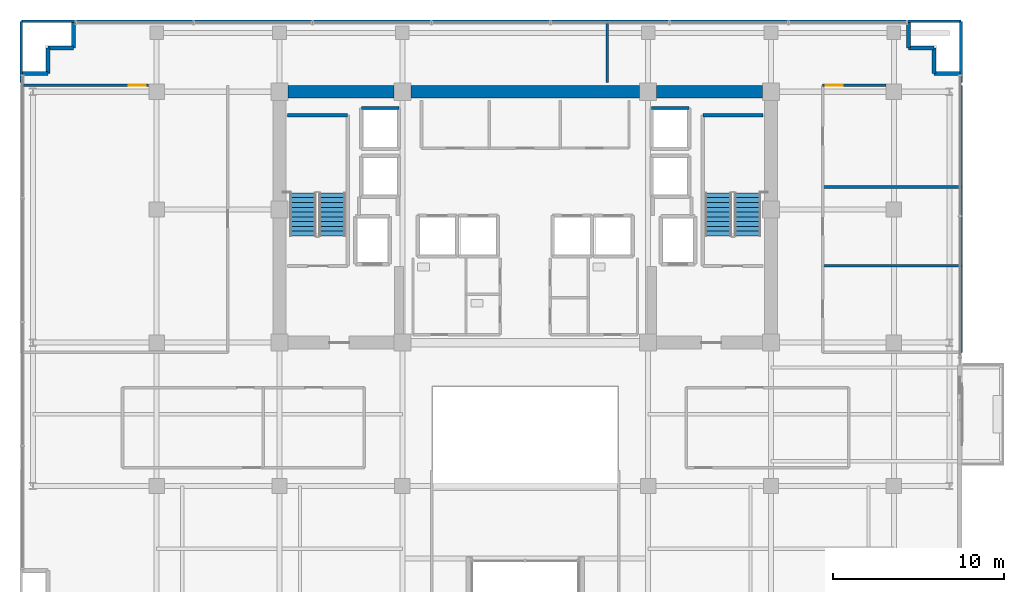
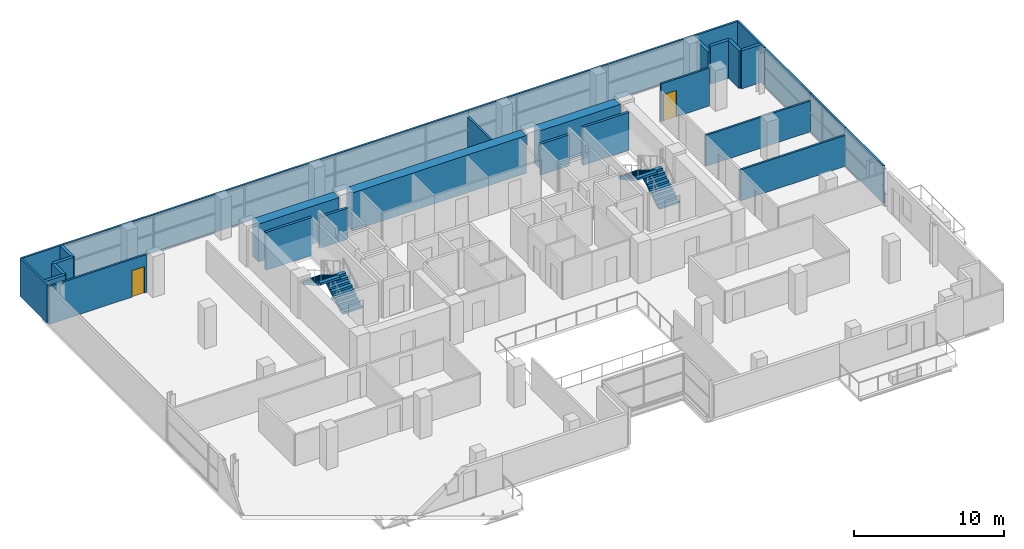
# One storey, part 22 of 25: 27 walls, 4 stair flights, 2 doors, 2 openings, 2 elements without a shape of their own.
"""IFC4 building model written with IfcOpenShell, lengths in metres."""

from ifc_helpers import new_model, si_unit, direction, frame, frame_2d, origin, place, context, subcontext, project, spatial, polyline, rectangle, outline, extrude, source, transform, mapped, material, layer, layer_set, type_object, element, fill, aggregate, save


model = new_model("IFC4")

# Units and contexts
model_context = context("Model", 3, precision=1e-05, world=origin(), true_north=direction((0.0, 1.0)))
body_context = subcontext(model_context, "Body", "Model", "MODEL_VIEW")
ifc_project = project(units=[si_unit("LENGTHUNIT", "METRE"), si_unit("AREAUNIT", "SQUARE_METRE"), si_unit("VOLUMEUNIT", "CUBIC_METRE"), si_unit("PLANEANGLEUNIT", "RADIAN"), si_unit("MASSUNIT", "GRAM", prefix="KILO")], contexts=[model_context])

# Site, building, storey
site_placement = place(None, origin())
site = spatial("IfcSite", under=ifc_project, at=site_placement, CompositionType="ELEMENT")
building_placement = place(site_placement, origin())
building = spatial("IfcBuilding", under=site, at=building_placement, Name="Zarnakvel Exchange Tower", CompositionType="ELEMENT")
storey_placement = place(building_placement, frame((0.0, 0.0, 93.39990234375)))
storey = spatial("IfcBuildingStorey", under=building, at=storey_placement, Name="L25", CompositionType="ELEMENT", Elevation=93.39990234375)

# Walls
ifc_material_1 = material(Name="Concrete C60/75", Category="concrete")
ifc_layer_1 = layer(ifc_material_1, 0.75)
ifc_layer_set_1 = layer_set([ifc_layer_1], Name="Concrete C60/75")
wall_type_1 = type_object("IfcWallType", Name="CW-C3", PredefinedType="SHEAR", material=ifc_layer_set_1)
wall_1_placement = place(storey_placement, frame((-13.89990234375, 13.5, 0.0), z_axis=(0.0, 0.0, 1.0), x_axis=(1.0, 0.0, 0.0)))
element("IfcWall", 1, at=wall_1_placement, inside=storey, type_object=wall_type_1, Name="L25 Rear Core Shear Wall N1 (CW-C3)", PredefinedType="SHEAR", context=body_context, shape_type="SweptSolid", body=[
    extrude(rectangle(XDim=6.199951171875, YDim=0.75, at=frame_2d((3.10009765625, 0.0))), origin(), (0.0, 0.0, 1.0), 3.0751953125),
])
wall_2_placement = place(storey_placement, frame((-6.699951171875, 13.5, 0.0), z_axis=(0.0, 0.0, 1.0), x_axis=(1.0, 0.0, 0.0)))
element("IfcWall", 2, at=wall_2_placement, inside=storey, type_object=wall_type_1, Name="L25 Rear Core Shear Wall N2 (CW-C3)", PredefinedType="SHEAR", context=body_context, shape_type="SweptSolid", body=[
    extrude(rectangle(XDim=13.39990234375, YDim=0.75, at=frame_2d((6.699951171875, 0.0))), origin(), (0.0, 0.0, 1.0), 3.0751953125),
])
wall_3_placement = place(storey_placement, frame((7.699951171875, 13.5, 0.0), z_axis=(0.0, 0.0, 1.0), x_axis=(1.0, 0.0, 0.0)))
element("IfcWall", 3, at=wall_3_placement, inside=storey, type_object=wall_type_1, Name="L25 Rear Core Shear Wall N3 (CW-C3)", PredefinedType="SHEAR", context=body_context, shape_type="SweptSolid", body=[
    extrude(rectangle(XDim=6.199951171875, YDim=0.75, at=frame_2d((3.10009765625, 0.0))), origin(), (0.0, 0.0, 1.0), 3.0751953125),
])
ifc_material_2 = material(Name="Precast concrete C40/50", Category="concrete")
ifc_layer_2 = layer(ifc_material_2, 0.239990234375)
ifc_layer_set_2 = layer_set([ifc_layer_2], Name="Precast concrete C40/50")
wall_type_2 = type_object("IfcWallType", Name="EW-02", PredefinedType="SOLIDWALL", material=ifc_layer_set_2)
for number, where, z_axis, x_axis, name in (
    (4, (-27.9599609375, 14.56005859375, 0.0), (0.0, 0.0, 1.0), (-1.0, 0.0, 0.0), "L25 Exterior Precast Spandrel Wall EWC-L25-01 (EW-02)"),
    (5, (-27.9599609375, 16.06005859375, 0.0), (0.0, 0.0, 1.0), (0.0, -1.0, 0.0), "L25 Exterior Precast Spandrel Wall EWC-L25-02 (EW-02)"),
    (6, (-26.4599609375, 16.06005859375, 0.0), (0.0, 0.0, 1.0), (-1.0, 0.0, 0.0), "L25 Exterior Precast Spandrel Wall EWC-L25-03 (EW-02)"),
    (7, (-26.4599609375, 17.56005859375, 0.0), (0.0, 0.0, 1.0), (0.0, -1.0, 0.0), "L25 Exterior Precast Spandrel Wall EWC-L25-04 (EW-02)"),
):
    element("IfcWall", number, at=place(storey_placement, frame(where, z_axis=z_axis, x_axis=x_axis)), inside=storey, type_object=wall_type_2, Name=name, PredefinedType="SOLIDWALL", context=body_context, shape_type="SweptSolid", body=[
        extrude(rectangle(XDim=1.5, YDim=0.239990234375, at=frame_2d((0.75, 0.0))), origin(), (0.0, 0.0, 1.0), 3.0751953125),
    ])
wall_4_placement = place(storey_placement, frame((22.4599609375, 16.06005859375, 0.0), z_axis=(0.0, 0.0, 1.0), x_axis=(0.0, 1.0, 0.0)))
element("IfcWall", 8, at=wall_4_placement, inside=storey, type_object=wall_type_2, Name="L25 Exterior Precast Spandrel Wall EWC-L25-05 (EW-02)", PredefinedType="SOLIDWALL", context=body_context, shape_type="SweptSolid", body=[
    extrude(rectangle(XDim=1.5, YDim=0.239990234375, at=frame_2d((0.75, 0.0))), origin(), (0.0, 0.0, 1.0), 2.565185546875),
])
for number, where, z_axis, x_axis, name in (
    (9, (23.9599609375, 16.06005859375, 0.0), (0.0, 0.0, 1.0), (-1.0, 0.0, 0.0), "L25 Exterior Precast Spandrel Wall EWC-L25-06 (EW-02)"),
    (10, (23.9599609375, 14.56005859375, 0.0), (0.0, 0.0, 1.0), (0.0, 1.0, 0.0), "L25 Exterior Precast Spandrel Wall EWC-L25-07 (EW-02)"),
    (11, (25.4599609375, 14.56005859375, 0.0), (0.0, 0.0, 1.0), (-1.0, 0.0, 0.0), "L25 Exterior Precast Spandrel Wall EWC-L25-08 (EW-02)"),
):
    element("IfcWall", number, at=place(storey_placement, frame(where, z_axis=z_axis, x_axis=x_axis)), inside=storey, type_object=wall_type_2, Name=name, PredefinedType="SOLIDWALL", context=body_context, shape_type="SweptSolid", body=[
        extrude(rectangle(XDim=1.5, YDim=0.239990234375, at=frame_2d((0.75, 0.0))), origin(), (0.0, 0.0, 1.0), 3.0751953125),
    ])

# Wall, opening, door
ifc_material_3 = material(Name="Fire-Rated Gypsum Stud Partition", Category="gypsum")
ifc_layer_3 = layer(ifc_material_3, 0.14990234375)
ifc_layer_set_3 = layer_set([ifc_layer_3], Name="Fire-Rated Gypsum Stud Partition")
wall_type_3 = type_object("IfcWallType", Name="PT-01", PredefinedType="PARTITIONING", material=ifc_layer_set_3)
wall_5_placement = place(storey_placement, frame((-29.530029296875, 13.8798828125, 0.0), z_axis=(0.0, 0.0, 1.0), x_axis=(1.0, 0.0, 0.0)))
wall_5 = element("IfcWall", 12, at=wall_5_placement, inside=storey, type_object=wall_type_3, Name="L25 Partition Wall PWALL-L25-051 (PT-01)", PredefinedType="PARTITIONING", context=body_context, shape_type="SweptSolid", body=[
    extrude(rectangle(XDim=7.4599609375, YDim=0.14990234375, at=frame_2d((3.72998046875, 0.0))), origin(), (0.0, 0.0, 1.0), 3.0751953125),
])
opening_1_placement = place(wall_5_placement, frame((6.300048828125, 0.0, 0.0)))
opening_1 = element("IfcOpeningElement", 13, at=opening_1_placement, cuts=wall_5, Name="Opening D-L25-23", PredefinedType="OPENING", context=body_context, shape_type="SweptSolid", body=[
    extrude(rectangle(XDim=0.97998046875, YDim=2.14990234375, at=frame_2d((0.489990234375, 1.074951171875))), frame((0.0, 0.0849609375, 0.0), z_axis=(0.0, -1.0, 0.0), x_axis=(1.0, 0.0, 0.0)), (0.0, 0.0, 1.0), 0.169921875),
])
ifc_material_4 = material(Name="Timber Acoustic Veneer", Category="wood")
door_type = type_object("IfcDoorType", Name="DT-05", OperationType="NOTDEFINED", PredefinedType="DOOR", material=ifc_material_4)
shared_shape = source(origin(), body_context, "Body", "SweptSolid", [
    extrude(rectangle(XDim=0.97998046875, YDim=2.14990234375, at=frame_2d((0.489990234375, 1.074951171875))), frame((0.0, 0.02490234375, 0.0), z_axis=(0.0, -1.0, 0.0), x_axis=(1.0, 0.0, 0.0)), (0.0, 0.0, 1.0), 0.050048828125),
])
door_1_placement = place(opening_1_placement, origin())
door_1 = element("IfcDoor", 14, at=door_1_placement, inside=storey, type_object=door_type, Name="L25 Settlement Office Door D-L25-23", OperationType="SINGLE_SWING_RIGHT", OverallHeight=2.14990234375, OverallWidth=0.97998046875, PredefinedType="DOOR", context=body_context, shape_type="MappedRepresentation", body=[
    mapped(shared_shape, transform((0.0, 0.0, 0.0), x_axis=(1.0, 0.0, 0.0), y_axis=(0.0, 1.0, 0.0), z_axis=(0.0, 0.0, 1.0), scale=1.0)),
])
fill(opening_1, door_1)

# Walls
wall_6_placement = place(storey_placement, frame((17.429931640625, 3.2978515625, 0.0), z_axis=(0.0, 0.0, 1.0), x_axis=(1.0, 0.0, 0.0)))
element("IfcWall", 15, at=wall_6_placement, inside=storey, type_object=wall_type_3, Name="L25 Partition Wall PWALL-L25-055 (PT-01)", PredefinedType="PARTITIONING", context=body_context, shape_type="SweptSolid", body=[
    extrude(rectangle(XDim=8.10009765625, YDim=0.14990234375, at=frame_2d((4.050048828125, 0.0))), origin(), (0.0, 0.0, 1.0), 2.51513671875),
])
wall_7_placement = place(storey_placement, frame((25.530029296875, 3.2978515625, 0.0), z_axis=(0.0, 0.0, 1.0), x_axis=(0.0, -1.0, 0.0)))
element("IfcWall", 16, at=wall_7_placement, inside=storey, type_object=wall_type_3, Name="L25 Partition Wall PWALL-L25-057 (PT-01)", PredefinedType="PARTITIONING", context=body_context, shape_type="SweptSolid", body=[
    extrude(rectangle(XDim=5.06787109375, YDim=0.14990234375, at=frame_2d((2.533935546875, 0.0))), origin(), (0.0, 0.0, 1.0), 3.0751953125),
])
wall_8_placement = place(storey_placement, frame((17.429931640625, 7.919677734375, 0.0), z_axis=(0.0, 0.0, 1.0), x_axis=(1.0, 0.0, 0.0)))
element("IfcWall", 17, at=wall_8_placement, inside=storey, type_object=wall_type_3, Name="L25 Partition Wall PWALL-L25-058 (PT-01)", PredefinedType="PARTITIONING", context=body_context, shape_type="SweptSolid", body=[
    extrude(rectangle(XDim=8.10009765625, YDim=0.14990234375, at=frame_2d((4.050048828125, 0.0))), origin(), (0.0, 0.0, 1.0), 2.51513671875),
])
wall_9_placement = place(storey_placement, frame((25.530029296875, 7.919677734375, 0.0), z_axis=(0.0, 0.0, 1.0), x_axis=(0.0, -1.0, 0.0)))
element("IfcWall", 18, at=wall_9_placement, inside=storey, type_object=wall_type_3, Name="L25 Partition Wall PWALL-L25-060 (PT-01)", PredefinedType="PARTITIONING", context=body_context, shape_type="SweptSolid", body=[
    extrude(rectangle(XDim=4.621826171875, YDim=0.14990234375, at=frame_2d((2.31103515625, 0.0))), origin(), (0.0, 0.0, 1.0), 3.0751953125),
])

# Wall, opening, door
wall_10_placement = place(storey_placement, frame((17.429931640625, 13.8798828125, 0.0), z_axis=(0.0, 0.0, 1.0), x_axis=(1.0, 0.0, 0.0)))
wall_10 = element("IfcWall", 19, at=wall_10_placement, inside=storey, type_object=wall_type_3, Name="L25 Partition Wall PWALL-L25-061 (PT-01)", PredefinedType="PARTITIONING", context=body_context, shape_type="SweptSolid", body=[
    extrude(rectangle(XDim=3.699951171875, YDim=0.14990234375, at=frame_2d((1.85009765625, 0.0))), origin(), (0.0, 0.0, 1.0), 3.0751953125),
])
opening_2_placement = place(wall_10_placement, frame((0.179931640625, 0.0, 0.0)))
opening_2 = element("IfcOpeningElement", 20, at=opening_2_placement, cuts=wall_10, Name="Opening D-L25-24", PredefinedType="OPENING", context=body_context, shape_type="SweptSolid", body=[
    extrude(rectangle(XDim=0.97998046875, YDim=2.14990234375, at=frame_2d((0.489990234375, 1.074951171875))), frame((0.0, 0.0849609375, 0.0), z_axis=(0.0, -1.0, 0.0), x_axis=(1.0, 0.0, 0.0)), (0.0, 0.0, 1.0), 0.169921875),
])
door_2_placement = place(opening_2_placement, origin())
door_2 = element("IfcDoor", 21, at=door_2_placement, inside=storey, type_object=door_type, Name="L25 Reception Lounge Door D-L25-24", OperationType="SINGLE_SWING_LEFT", OverallHeight=2.14990234375, OverallWidth=0.97998046875, PredefinedType="DOOR", context=body_context, shape_type="MappedRepresentation", body=[
    mapped(shared_shape, transform((0.0, 0.0, 0.0), x_axis=(1.0, 0.0, 0.0), y_axis=(0.0, 1.0, 0.0), z_axis=(0.0, 0.0, 1.0), scale=1.0)),
])
fill(opening_2, door_2)

# Walls
wall_11_placement = place(storey_placement, frame((25.530029296875, 13.8798828125, 0.0), z_axis=(0.0, 0.0, 1.0), x_axis=(0.0, -1.0, 0.0)))
element("IfcWall", 22, at=wall_11_placement, inside=storey, type_object=wall_type_3, Name="L25 Partition Wall PWALL-L25-063 (PT-01)", PredefinedType="PARTITIONING", context=body_context, shape_type="SweptSolid", body=[
    extrude(rectangle(XDim=5.960205078125, YDim=0.14990234375, at=frame_2d((2.97998046875, 0.0))), origin(), (0.0, 0.0, 1.0), 3.0751953125),
])
wall_12_placement = place(storey_placement, frame((-29.530029296875, 17.6298828125, 0.0), z_axis=(0.0, 0.0, 1.0), x_axis=(1.0, 0.0, 0.0)))
element("IfcWall", 23, at=wall_12_placement, inside=storey, type_object=wall_type_3, Name="L25 Partition Wall PWALL-L25-064 (PT-01)", PredefinedType="PARTITIONING", context=body_context, shape_type="SweptSolid", body=[
    extrude(rectangle(XDim=34.330078125, YDim=0.14990234375, at=frame_2d((17.1650390625, 0.0))), origin(), (0.0, 0.0, 1.0), 3.0751953125),
])
wall_13_placement = place(storey_placement, frame((-29.530029296875, 14.030029296875, 0.0), z_axis=(0.0, 0.0, 1.0), x_axis=(0.0, 1.0, 0.0)))
element("IfcWall", 24, at=wall_13_placement, inside=storey, type_object=wall_type_3, Name="L25 Partition Wall PWALL-L25-065 (PT-01)", PredefinedType="PARTITIONING", context=body_context, shape_type="SweptSolid", body=[
    extrude(rectangle(XDim=3.599853515625, YDim=0.14990234375, at=frame_2d((1.7998046875, 0.0))), origin(), (0.0, 0.0, 1.0), 3.0751953125),
])
wall_14_placement = place(storey_placement, frame((4.800048828125, 17.6298828125, 0.0), z_axis=(0.0, 0.0, 1.0), x_axis=(0.0, -1.0, 0.0)))
element("IfcWall", 25, at=wall_14_placement, inside=storey, type_object=wall_type_3, Name="L25 Partition Wall PWALL-L25-066 (PT-01)", PredefinedType="PARTITIONING", context=body_context, shape_type="SweptSolid", body=[
    extrude(rectangle(XDim=3.599853515625, YDim=0.14990234375, at=frame_2d((1.7998046875, 0.0))), origin(), (0.0, 0.0, 1.0), 2.565185546875),
])
wall_15_placement = place(storey_placement, frame((4.800048828125, 17.6298828125, 0.0), z_axis=(0.0, 0.0, 1.0), x_axis=(1.0, 0.0, 0.0)))
element("IfcWall", 26, at=wall_15_placement, inside=storey, type_object=wall_type_3, Name="L25 Partition Wall PWALL-L25-067 (PT-01)", PredefinedType="PARTITIONING", context=body_context, shape_type="SweptSolid", body=[
    extrude(rectangle(XDim=20.72998046875, YDim=0.14990234375, at=frame_2d((10.364990234375, 0.0))), origin(), (0.0, 0.0, 1.0), 3.0751953125),
])
wall_16_placement = place(storey_placement, frame((25.530029296875, 17.6298828125, 0.0), z_axis=(0.0, 0.0, 1.0), x_axis=(0.0, -1.0, 0.0)))
element("IfcWall", 27, at=wall_16_placement, inside=storey, type_object=wall_type_3, Name="L25 Partition Wall PWALL-L25-068 (PT-01)", PredefinedType="PARTITIONING", context=body_context, shape_type="SweptSolid", body=[
    extrude(rectangle(XDim=3.599853515625, YDim=0.14990234375, at=frame_2d((1.7998046875, 0.0))), origin(), (0.0, 0.0, 1.0), 3.0751953125),
])
ifc_material_5 = material(Name="Concrete C40/50", Category="concrete")
ifc_layer_4 = layer(ifc_material_5, 0.199951171875)
ifc_layer_set_4 = layer_set([ifc_layer_4], Name="Concrete C40/50")
wall_type_4 = type_object("IfcWallType", Name="SW-01", PredefinedType="SOLIDWALL", material=ifc_layer_set_4)
for number, where, z_axis, x_axis, name in (
    (28, (-9.60009765625, 12.550048828125, 0.0), (0.0, 0.0, 1.0), (1.0, 0.0, 0.0), "L25 PL-10 Hoistway Wall North"),
    (29, (7.39990234375, 12.550048828125, 0.0), (0.0, 0.0, 1.0), (1.0, 0.0, 0.0), "L25 PL-12 Hoistway Wall North"),
):
    element("IfcWall", number, at=place(storey_placement, frame(where, z_axis=z_axis, x_axis=x_axis)), inside=storey, type_object=wall_type_4, Name=name, PredefinedType="SOLIDWALL", context=body_context, shape_type="SweptSolid", body=[
        extrude(rectangle(XDim=2.2001953125, YDim=0.199951171875, at=frame_2d((1.10009765625, 0.0))), origin(), (0.0, 0.0, 1.0), 2.51513671875),
    ])
ifc_layer_5 = layer(ifc_material_5, 0.199951171875)
ifc_layer_set_5 = layer_set([ifc_layer_5], Name="Concrete C40/50")
wall_type_5 = type_object("IfcWallType", Name="SW-02", PredefinedType="SOLIDWALL", material=ifc_layer_set_5)
for number, where, z_axis, x_axis, name in (
    (30, (-13.929931640625, 12.1298828125, 0.0), (0.0, 0.0, 1.0), (1.0, 0.0, 0.0), "L25 Stairwell Core Wall PWALL-L25-002 (SW-02)"),
    (31, (10.409912109375, 12.1298828125, 0.0), (0.0, 0.0, 1.0), (1.0, 0.0, 0.0), "L25 Stairwell Core Wall PWALL-L25-005 (SW-02)"),
):
    element("IfcWall", number, at=place(storey_placement, frame(where, z_axis=z_axis, x_axis=x_axis)), inside=storey, type_object=wall_type_5, Name=name, PredefinedType="SOLIDWALL", context=body_context, shape_type="SweptSolid", body=[
        extrude(rectangle(XDim=3.52001953125, YDim=0.199951171875, at=frame_2d((1.760009765625, 0.0))), origin(), (0.0, 0.0, 1.0), 3.0751953125),
    ])

# Stair, stair flights
stair_type = type_object("IfcStairType", Name="STR-01", PredefinedType="HALF_TURN_STAIR", material=ifc_material_5)
stair_1_placement = place(storey_placement, origin())
stair_1 = element("IfcStair", 32, at=stair_1_placement, inside=storey, type_object=stair_type, Name="L25 Protected Core Exit Stair ST-01", PredefinedType="HALF_TURN_STAIR")
stair_flight_type = type_object("IfcStairFlightType", Name="FLT-01", PredefinedType="STRAIGHT", material=ifc_material_5)
stair_flight_1_placement = place(storey_placement, frame((-11.31494140625, 5.050048828125, 0.0), z_axis=(0.0, 0.0, 1.0), x_axis=(0.0, 1.0, 0.0)))
stair_flight_1 = element("IfcStairFlight", 33, at=stair_flight_1_placement, type_object=stair_flight_type, Name="ST-01 flight 1", NumberOfRisers=10, NumberOfTreads=9, PredefinedType="STRAIGHT", RiserHeight=0.165, TreadLength=0.28, context=body_context, shape_type="SweptSolid", body=[
    extrude(outline(polyline([(0.0, 0.0), (0.0, 0.1650390625), (0.280029296875, 0.1650390625), (0.280029296875, 0.330078125), (0.56005859375, 0.330078125), (0.56005859375, 0.4951171875), (0.840087890625, 0.4951171875), (0.840087890625, 0.659912109375), (1.1201171875, 0.659912109375), (1.1201171875, 0.824951171875), (1.39990234375, 0.824951171875), (1.39990234375, 0.989990234375), (1.679931640625, 0.989990234375), (1.679931640625, 1.155029296875), (1.9599609375, 1.155029296875), (1.9599609375, 1.320068359375), (2.239990234375, 1.320068359375), (2.239990234375, 1.485107421875), (2.52001953125, 1.485107421875), (2.52001953125, 1.64990234375), (2.52001953125, 1.31103515625), (0.295166015625, 0.0), (0.0, 0.0)])), frame((0.0, 0.77490234375, 0.0), z_axis=(0.0, -1.0, 0.0), x_axis=(1.0, 0.0, 0.0)), (0.0, 0.0, 1.0), 1.550048828125),
])
stair_flight_2_placement = place(storey_placement, frame((-13.02490234375, 7.570068359375, 1.650146484375), z_axis=(0.0, 0.0, 1.0), x_axis=(0.0, -1.0, 0.0)))
stair_flight_2 = element("IfcStairFlight", 34, at=stair_flight_2_placement, type_object=stair_flight_type, Name="ST-01 flight 2", NumberOfRisers=10, NumberOfTreads=9, PredefinedType="STRAIGHT", RiserHeight=0.165, TreadLength=0.28, context=body_context, shape_type="SweptSolid", body=[
    extrude(outline(polyline([(0.0, 0.0), (0.0, 0.1650390625), (0.280029296875, 0.1650390625), (0.280029296875, 0.330078125), (0.56005859375, 0.330078125), (0.56005859375, 0.4951171875), (0.840087890625, 0.4951171875), (0.840087890625, 0.659912109375), (1.1201171875, 0.659912109375), (1.1201171875, 0.824951171875), (1.39990234375, 0.824951171875), (1.39990234375, 0.989990234375), (1.679931640625, 0.989990234375), (1.679931640625, 1.155029296875), (1.9599609375, 1.155029296875), (1.9599609375, 1.320068359375), (2.239990234375, 1.320068359375), (2.239990234375, 1.485107421875), (2.52001953125, 1.485107421875), (2.52001953125, 1.64990234375), (2.52001953125, 1.31103515625), (0.295166015625, 0.0), (0.0, 0.0)])), frame((0.0, 0.77490234375, 0.0), z_axis=(0.0, -1.0, 0.0), x_axis=(1.0, 0.0, 0.0)), (0.0, 0.0, 1.0), 1.550048828125),
])
aggregate(stair_1, [stair_flight_1, stair_flight_2])

stair_2_placement = place(storey_placement, origin())
stair_2 = element("IfcStair", 35, at=stair_2_placement, inside=storey, type_object=stair_type, Name="L25 Protected Core Exit Stair ST-02", PredefinedType="HALF_TURN_STAIR")
stair_flight_3_placement = place(storey_placement, frame((13.02490234375, 5.050048828125, 0.0), z_axis=(0.0, 0.0, 1.0), x_axis=(0.0, 1.0, 0.0)))
stair_flight_3 = element("IfcStairFlight", 36, at=stair_flight_3_placement, type_object=stair_flight_type, Name="ST-02 flight 1", NumberOfRisers=10, NumberOfTreads=9, PredefinedType="STRAIGHT", RiserHeight=0.165, TreadLength=0.28, context=body_context, shape_type="SweptSolid", body=[
    extrude(outline(polyline([(0.0, 0.0), (0.0, 0.1650390625), (0.280029296875, 0.1650390625), (0.280029296875, 0.330078125), (0.56005859375, 0.330078125), (0.56005859375, 0.4951171875), (0.840087890625, 0.4951171875), (0.840087890625, 0.659912109375), (1.1201171875, 0.659912109375), (1.1201171875, 0.824951171875), (1.39990234375, 0.824951171875), (1.39990234375, 0.989990234375), (1.679931640625, 0.989990234375), (1.679931640625, 1.155029296875), (1.9599609375, 1.155029296875), (1.9599609375, 1.320068359375), (2.239990234375, 1.320068359375), (2.239990234375, 1.485107421875), (2.52001953125, 1.485107421875), (2.52001953125, 1.64990234375), (2.52001953125, 1.31103515625), (0.295166015625, 0.0), (0.0, 0.0)])), frame((0.0, 0.77490234375, 0.0), z_axis=(0.0, -1.0, 0.0), x_axis=(1.0, 0.0, 0.0)), (0.0, 0.0, 1.0), 1.550048828125),
])
stair_flight_4_placement = place(storey_placement, frame((11.31494140625, 7.570068359375, 1.650146484375), z_axis=(0.0, 0.0, 1.0), x_axis=(0.0, -1.0, 0.0)))
stair_flight_4 = element("IfcStairFlight", 37, at=stair_flight_4_placement, type_object=stair_flight_type, Name="ST-02 flight 2", NumberOfRisers=10, NumberOfTreads=9, PredefinedType="STRAIGHT", RiserHeight=0.165, TreadLength=0.28, context=body_context, shape_type="SweptSolid", body=[
    extrude(outline(polyline([(0.0, 0.0), (0.0, 0.1650390625), (0.280029296875, 0.1650390625), (0.280029296875, 0.330078125), (0.56005859375, 0.330078125), (0.56005859375, 0.4951171875), (0.840087890625, 0.4951171875), (0.840087890625, 0.659912109375), (1.1201171875, 0.659912109375), (1.1201171875, 0.824951171875), (1.39990234375, 0.824951171875), (1.39990234375, 0.989990234375), (1.679931640625, 0.989990234375), (1.679931640625, 1.155029296875), (1.9599609375, 1.155029296875), (1.9599609375, 1.320068359375), (2.239990234375, 1.320068359375), (2.239990234375, 1.485107421875), (2.52001953125, 1.485107421875), (2.52001953125, 1.64990234375), (2.52001953125, 1.31103515625), (0.295166015625, 0.0), (0.0, 0.0)])), frame((0.0, 0.77490234375, 0.0), z_axis=(0.0, -1.0, 0.0), x_axis=(1.0, 0.0, 0.0)), (0.0, 0.0, 1.0), 1.550048828125),
])
aggregate(stair_2, [stair_flight_3, stair_flight_4])

save(model, "model.ifc")
